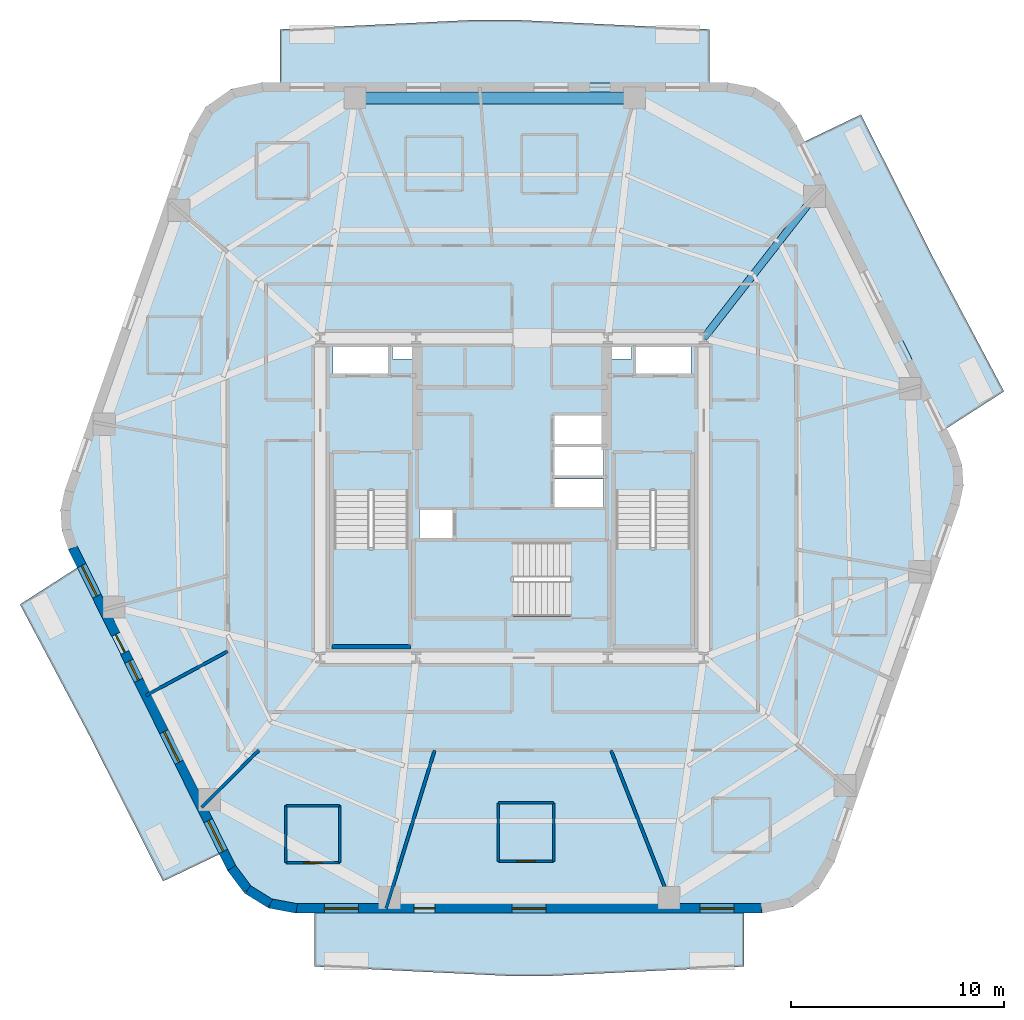
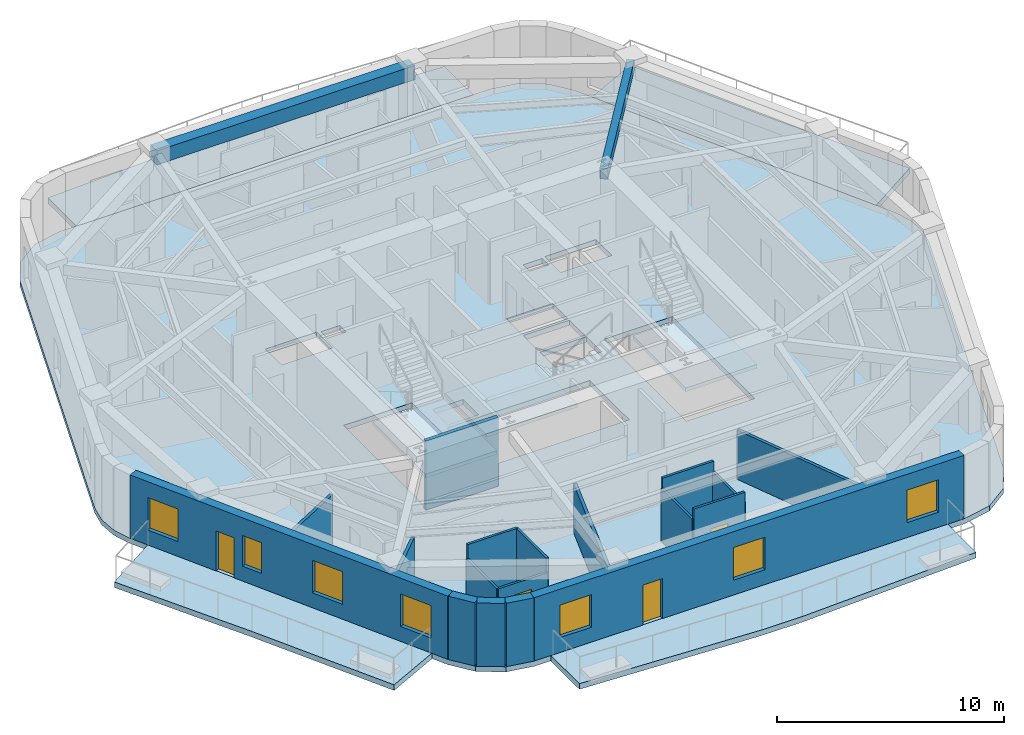
# One storey, part 2 of 10: 18 walls, 8 slabs, 7 windows, 4 doors, 2 beams, 11 openings, 3 elements without a shape of their own.
"""IFC4 building model written with IfcOpenShell, lengths in metres."""

from ifc_helpers import new_model, si_unit, direction, frame, frame_2d, origin, origin_2d, place, context, subcontext, project, spatial, polyline, rectangle, outline, extrude, material, layer, layer_set, material_profile, profile_set, type_object, element, fill, aggregate, save


model = new_model("IFC4")

# Units and contexts
model_context = context("Model", 3, precision=1e-05, world=origin(), true_north=direction((0.0, 1.0)))
body_context = subcontext(model_context, "Body", "Model", "MODEL_VIEW")
ifc_project = project(units=[si_unit("LENGTHUNIT", "METRE"), si_unit("AREAUNIT", "SQUARE_METRE"), si_unit("VOLUMEUNIT", "CUBIC_METRE"), si_unit("PLANEANGLEUNIT", "RADIAN"), si_unit("MASSUNIT", "GRAM", prefix="KILO")], contexts=[model_context])

# Site, building, storey
site_placement = place(None, origin())
site = spatial("IfcSite", under=ifc_project, at=site_placement, CompositionType="ELEMENT")
building_placement = place(site_placement, origin())
building = spatial("IfcBuilding", under=site, at=building_placement, Name="Kilnhurst Terrace Hotel", CompositionType="ELEMENT")
storey_placement = place(building_placement, frame((0.0, 0.0, 151.699951171875)))
storey = spatial("IfcBuildingStorey", under=building, at=storey_placement, Name="L37", CompositionType="ELEMENT", Elevation=151.699951171875)

# Beams
ifc_material_1 = material(Name="Concrete C50/60", Category="concrete")
ifc_material_profile_1 = material_profile(ifc_material_1, rectangle(XDim=0.35009765625, YDim=0.550048828125, at=origin_2d()), Name="RC350X550")
ifc_profile_set_1 = profile_set([ifc_material_profile_1], Name="Concrete C50/60")
beam_type_1 = type_object("IfcBeamType", Name="BM-RAD-350X550", PredefinedType="BEAM", material=ifc_profile_set_1)
beam_1_placement = place(storey_placement, frame((9.0, 7.5, 3.125), z_axis=(0.615370616457, 0.78823791104, 0.0), x_axis=(-0.78823791104, 0.615370616457, 0.0)))
element("IfcBeam", 1, at=beam_1_placement, inside=storey, type_object=beam_type_1, Name="L37 Radial Floor Beam 6", PredefinedType="BEAM", context=body_context, shape_type="SweptSolid", body=[
    extrude(rectangle(XDim=0.35009765625, YDim=0.550048828125, at=origin_2d()), origin(), (0.0, 0.0, 1.0), 8.456787109375),
])
ifc_material_profile_2 = material_profile(ifc_material_1, rectangle(XDim=0.550048828125, YDim=0.75, at=origin_2d()), Name="RC550X750")
ifc_profile_set_2 = profile_set([ifc_material_profile_2], Name="Concrete C50/60")
beam_type_2 = type_object("IfcBeamType", Name="BM-SPN-550X750", PredefinedType="SPANDREL", material=ifc_profile_set_2)
beam_2_placement = place(storey_placement, frame((5.7548828125, 18.780029296875, 3.025146484375), z_axis=(-1.0, 0.0, 0.0), x_axis=(0.0, -1.0, 0.0)))
element("IfcBeam", 2, at=beam_2_placement, inside=storey, type_object=beam_type_2, Name="L37 Perimeter Spandrel Beam 7", PredefinedType="SPANDREL", context=body_context, shape_type="SweptSolid", body=[
    extrude(rectangle(XDim=0.550048828125, YDim=0.75, at=origin_2d()), origin(), (0.0, 0.0, 1.0), 13.123779296875),
])

# Slabs
ifc_layer_1 = layer(ifc_material_1, 0.300048828125, Name="Concrete C50/60")
ifc_layer_set_1 = layer_set([ifc_layer_1], Name="Concrete C50/60")
slab_type_1 = type_object("IfcSlabType", Name="SLB-BAL-300", PredefinedType="FLOOR", material=ifc_layer_set_1)
slab_1_placement = place(storey_placement, frame((0.0, 0.0, -0.300048828125)))
element("IfcSlab", 3, at=slab_1_placement, inside=storey, type_object=slab_type_1, Name="L37 Cantilevered Planted Terrace Slab BAL-L1A", PredefinedType="FLOOR", context=body_context, shape_type="SweptSolid", body=[
    extrude(outline(polyline([(19.769287109375, 11.293212890625), (23.100830078125, 5.0), (20.393310546875, 3.25927734375), (13.718505859375, 16.72021484375), (16.384033203125, 18.0), (19.769287109375, 11.293212890625)])), origin(), (0.0, 0.0, 1.0), 0.300048828125),
])
slab_2_placement = place(storey_placement, frame((0.0, 0.0, -0.300048828125)))
element("IfcSlab", 4, at=slab_2_placement, inside=storey, type_object=slab_type_1, Name="L37 Cantilevered Planted Terrace Slab BAL-L1B", PredefinedType="FLOOR", context=body_context, shape_type="SweptSolid", body=[
    extrude(outline(polyline([(0.221923828125, 22.43994140625), (9.279296875, 22.0), (9.279296875, 19.47998046875), (-10.8935546875, 19.47998046875), (-10.8935546875, 22.0), (-1.83642578125, 22.43994140625), (0.221923828125, 22.43994140625)])), origin(), (0.0, 0.0, 1.0), 0.300048828125),
])
slab_3_placement = place(storey_placement, frame((0.0, 0.0, -0.300048828125)))
element("IfcSlab", 5, at=slab_3_placement, inside=storey, type_object=slab_type_1, Name="L37 Cantilevered Planted Terrace Slab BAL-L2A", PredefinedType="FLOOR", context=body_context, shape_type="SweptSolid", body=[
    extrude(outline(polyline([(-23.100830078125, -5.0), (-20.393310546875, -3.25927734375), (-13.718505859375, -16.72021484375), (-16.384033203125, -18.0), (-19.769287109375, -11.293212890625), (-23.100830078125, -5.0)])), origin(), (0.0, 0.0, 1.0), 0.300048828125),
])
slab_4_placement = place(storey_placement, frame((0.0, 0.0, -0.300048828125)))
element("IfcSlab", 6, at=slab_4_placement, inside=storey, type_object=slab_type_1, Name="L37 Cantilevered Planted Terrace Slab BAL-L2B", PredefinedType="FLOOR", context=body_context, shape_type="SweptSolid", body=[
    extrude(outline(polyline([(-0.221923828125, -22.43994140625), (-9.279296875, -22.0), (-9.279296875, -19.47998046875), (10.8935546875, -19.47998046875), (10.8935546875, -22.0), (1.83642578125, -22.43994140625), (-0.221923828125, -22.43994140625)])), origin(), (0.0, 0.0, 1.0), 0.300048828125),
])
ifc_layer_2 = layer(ifc_material_1, 0.280029296875, Name="Concrete C50/60")
ifc_layer_set_2 = layer_set([ifc_layer_2], Name="Concrete C50/60")
slab_type_2 = type_object("IfcSlabType", Name="SLB-FLR-280", PredefinedType="FLOOR", material=ifc_layer_set_2)
slab_5_placement = place(storey_placement, frame((0.0, 0.0, -0.280029296875)))
element("IfcSlab", 7, at=slab_5_placement, inside=storey, type_object=slab_type_2, Name="L37 Structural Floor Slab", PredefinedType="FLOOR", context=body_context, shape_type="SweptSolid", body=[
    extrude(outline(polyline([(-13.3544921875, -17.499267578125), (-12.5576171875, -18.5576171875), (-11.431640625, -19.256103515625), (-10.12939453125, -19.5), (11.74365234375, -19.5), (13.18310546875, -19.19970703125), (14.38232421875, -18.348876953125), (15.141357421875, -17.089599609375), (20.9990234375, -0.3583984375), (21.192138671875, 0.57568359375), (21.13330078125, 1.527587890625), (20.82666015625, 2.4306640625), (13.3544921875, 17.499267578125), (12.5576171875, 18.5576171875), (11.431640625, 19.256103515625), (10.12939453125, 19.5), (-11.74365234375, 19.5), (-13.18310546875, 19.19970703125), (-14.38232421875, 18.348876953125), (-15.141357421875, 17.089599609375), (-20.9990234375, 0.3583984375), (-21.192138671875, -0.57568359375), (-21.13330078125, -1.527587890625), (-20.82666015625, -2.4306640625), (-13.3544921875, -17.499267578125)]), holes=[polyline([(2.7548828125, -2.080078125), (2.7548828125, -5.550048828125), (-4.5, -5.550048828125), (-4.5, -2.080078125), (2.7548828125, -2.080078125)]), polyline([(-8.35009765625, 0.35498046875), (-4.8798828125, 0.35498046875), (-4.8798828125, -6.89990234375), (-8.35009765625, -6.89990234375), (-8.35009765625, 0.35498046875)]), polyline([(-2.800048828125, -1.89990234375), (-4.35009765625, -1.89990234375), (-4.35009765625, -0.550048828125), (-2.800048828125, -0.550048828125), (-2.800048828125, -1.89990234375)]), polyline([(1.949951171875, -0.429931640625), (1.949951171875, 0.89990234375), (4.300048828125, 0.89990234375), (4.300048828125, -0.429931640625), (1.949951171875, -0.429931640625)]), polyline([(-8.39990234375, 5.75), (-8.39990234375, 7.14990234375), (-5.800048828125, 7.14990234375), (-5.800048828125, 5.75), (-8.39990234375, 5.75)]), polyline([(-4.659912109375, 6.52001953125), (-5.6201171875, 6.52001953125), (-5.6201171875, 7.080078125), (-4.659912109375, 7.080078125), (-4.659912109375, 6.52001953125)]), polyline([(8.35009765625, 0.35498046875), (8.35009765625, -6.89990234375), (4.8798828125, -6.89990234375), (4.8798828125, 0.35498046875), (8.35009765625, 0.35498046875)]), polyline([(1.949951171875, 1.050048828125), (1.949951171875, 2.3798828125), (4.300048828125, 2.3798828125), (4.300048828125, 1.050048828125), (1.949951171875, 1.050048828125)]), polyline([(4.300048828125, 2.530029296875), (1.949951171875, 2.530029296875), (1.949951171875, 3.860107421875), (4.300048828125, 3.860107421875), (4.300048828125, 2.530029296875)]), polyline([(5.800048828125, 5.75), (5.800048828125, 7.14990234375), (8.39990234375, 7.14990234375), (8.39990234375, 5.75), (5.800048828125, 5.75)]), polyline([(4.659912109375, 6.52001953125), (4.659912109375, 7.080078125), (5.6201171875, 7.080078125), (5.6201171875, 6.52001953125), (4.659912109375, 6.52001953125)])]), origin(), (0.0, 0.0, 1.0), 0.280029296875),
])

# Stair, slab
stair_type = type_object("IfcStairType", Name="STR-CORE-1660", PredefinedType="HALF_TURN_STAIR", material=ifc_material_1)
stair_1_placement = place(storey_placement, origin())
stair_1 = element("IfcStair", 8, at=stair_1_placement, inside=storey, type_object=stair_type, Name="L37 ST-1", PredefinedType="HALF_TURN_STAIR")
ifc_layer_3 = layer(ifc_material_1, 0.199951171875, Name="Concrete C50/60")
ifc_layer_set_3 = layer_set([ifc_layer_3], Name="Concrete C50/60")
slab_type_3 = type_object("IfcSlabType", Name="SLB-ST-LND-200", PredefinedType="LANDING", material=ifc_layer_set_3)
slab_6_placement = place(storey_placement, frame((0.0, 0.0, 1.650146484375)))
slab_6 = element("IfcSlab", 9, at=slab_6_placement, type_object=slab_type_3, Name="ST-1 landing 1", PredefinedType="LANDING", context=body_context, shape_type="SweptSolid", body=[
    extrude(outline(polyline([(-8.429931640625, -2.330078125), (-4.800048828125, -2.330078125), (-4.800048828125, -6.97998046875), (-8.429931640625, -6.97998046875), (-8.429931640625, -2.330078125)])), origin(), (0.0, 0.0, 1.0), 0.199951171875),
])
aggregate(stair_1, [slab_6])

stair_2_placement = place(storey_placement, origin())
stair_2 = element("IfcStair", 10, at=stair_2_placement, inside=storey, type_object=stair_type, Name="L37 ST-2", PredefinedType="HALF_TURN_STAIR")
slab_7_placement = place(storey_placement, frame((0.0, 0.0, 1.650146484375)))
slab_7 = element("IfcSlab", 11, at=slab_7_placement, type_object=slab_type_3, Name="ST-2 landing 1", PredefinedType="LANDING", context=body_context, shape_type="SweptSolid", body=[
    extrude(outline(polyline([(4.800048828125, -2.330078125), (8.429931640625, -2.330078125), (8.429931640625, -6.97998046875), (4.800048828125, -6.97998046875), (4.800048828125, -2.330078125)])), origin(), (0.0, 0.0, 1.0), 0.199951171875),
])
aggregate(stair_2, [slab_7])

stair_3_placement = place(storey_placement, origin())
stair_3 = element("IfcStair", 12, at=stair_3_placement, inside=storey, type_object=stair_type, Name="L37 ST-3", PredefinedType="HALF_TURN_STAIR")
slab_8_placement = place(storey_placement, frame((0.0, 0.0, 1.650146484375)))
slab_8 = element("IfcSlab", 13, at=slab_8_placement, type_object=slab_type_3, Name="ST-3 landing 1", PredefinedType="LANDING", context=body_context, shape_type="SweptSolid", body=[
    extrude(outline(polyline([(0.070068359375, -2.0), (0.070068359375, -5.6298828125), (-4.580078125, -5.6298828125), (-4.580078125, -2.0), (0.070068359375, -2.0)])), origin(), (0.0, 0.0, 1.0), 0.199951171875),
])
aggregate(stair_3, [slab_8])

# Walls
ifc_material_2 = material(Name="Precast concrete C40/50", Category="concrete")
ifc_layer_4 = layer(ifc_material_2, 0.449951171875, Name="Precast concrete C40/50")
ifc_layer_set_4 = layer_set([ifc_layer_4], Name="Precast concrete C40/50")
wall_type_1 = type_object("IfcWallType", Name="WL-BRK-450", PredefinedType="SOLIDWALL", material=ifc_layer_set_4)
wall_1_placement = place(storey_placement, frame((-13.162353515625, -17.380615234375, 0.0), z_axis=(0.0, 0.0, 1.0), x_axis=(0.601515770517, -0.798860925205, 0.0)))
element("IfcWall", 14, at=wall_1_placement, inside=storey, type_object=wall_type_1, Name="L37 Rounded Corner Brick Wall C1.1", PredefinedType="SOLIDWALL", context=body_context, shape_type="SweptSolid", body=[
    extrude(rectangle(XDim=1.261962890625, YDim=0.449951171875, at=frame_2d((0.630859375, 0.0))), origin(), (0.0, 0.0, 1.0), 3.400146484375),
])
wall_2_placement = place(storey_placement, frame((-12.4033203125, -18.388671875, 0.0), z_axis=(0.0, 0.0, 1.0), x_axis=(0.849795170926, -0.527113049991, 0.0)))
element("IfcWall", 15, at=wall_2_placement, inside=storey, type_object=wall_type_1, Name="L37 Rounded Corner Brick Wall C1.2", PredefinedType="SOLIDWALL", context=body_context, shape_type="SweptSolid", body=[
    extrude(rectangle(XDim=1.24072265625, YDim=0.449951171875, at=frame_2d((0.620361328125, 0.0))), origin(), (0.0, 0.0, 1.0), 3.400146484375),
])
wall_3_placement = place(storey_placement, frame((-11.348876953125, -19.042724609375, 0.0), z_axis=(0.0, 0.0, 1.0), x_axis=(0.982931267051, -0.183973161772, 0.0)))
element("IfcWall", 16, at=wall_3_placement, inside=storey, type_object=wall_type_1, Name="L37 Rounded Corner Brick Wall C1.3", PredefinedType="SOLIDWALL", context=body_context, shape_type="SweptSolid", body=[
    extrude(rectangle(XDim=1.261962890625, YDim=0.449951171875, at=frame_2d((0.630859375, 0.0))), origin(), (0.0, 0.0, 1.0), 3.400146484375),
])

# Wall, openings, door, windows
wall_4_placement = place(storey_placement, frame((-10.1083984375, -19.27490234375, 0.0), z_axis=(0.0, 0.0, 1.0), x_axis=(1.0, 0.0, 0.0)))
wall_4 = element("IfcWall", 17, at=wall_4_placement, inside=storey, type_object=wall_type_1, Name="L37 Exterior Brick Facade Wall F1", PredefinedType="SOLIDWALL", context=body_context, shape_type="SweptSolid", body=[
    extrude(rectangle(XDim=21.828857421875, YDim=0.449951171875, at=frame_2d((10.91455078125, 0.0))), origin(), (0.0, 0.0, 1.0), 3.400146484375),
])
opening_1_placement = place(wall_4_placement, frame((5.5029296875, 0.0, 0.0)))
opening_1 = element("IfcOpeningElement", 18, at=opening_1_placement, cuts=wall_4, Name="Opening BD-1000", PredefinedType="OPENING", context=body_context, shape_type="SweptSolid", body=[
    extrude(rectangle(XDim=1.0, YDim=2.14990234375, at=frame_2d((0.5, 1.074951171875))), frame((0.0, 0.23486328125, 0.0), z_axis=(0.0, -1.0, 0.0), x_axis=(1.0, 0.0, 0.0)), (0.0, 0.0, 1.0), 0.469970703125),
])
opening_2_placement = place(wall_4_placement, frame((1.297119140625, 0.0, 0.800048828125)))
opening_2 = element("IfcOpeningElement", 19, at=opening_2_placement, cuts=wall_4, Name="Opening W-05", PredefinedType="OPENING", context=body_context, shape_type="SweptSolid", body=[
    extrude(rectangle(XDim=1.60009765625, YDim=1.75, at=frame_2d((0.800048828125, 0.875))), frame((0.0, 0.23486328125, 0.0), z_axis=(0.0, -1.0, 0.0), x_axis=(1.0, 0.0, 0.0)), (0.0, 0.0, 1.0), 0.469970703125),
])
opening_3_placement = place(wall_4_placement, frame((10.114990234375, 0.0, 0.800048828125)))
opening_3 = element("IfcOpeningElement", 20, at=opening_3_placement, cuts=wall_4, Name="Opening W-05", PredefinedType="OPENING", context=body_context, shape_type="SweptSolid", body=[
    extrude(rectangle(XDim=1.60009765625, YDim=1.75, at=frame_2d((0.800048828125, 0.875))), frame((0.0, 0.23486328125, 0.0), z_axis=(0.0, -1.0, 0.0), x_axis=(1.0, 0.0, 0.0)), (0.0, 0.0, 1.0), 0.469970703125),
])
opening_4_placement = place(wall_4_placement, frame((18.93310546875, 0.0, 0.800048828125)))
opening_4 = element("IfcOpeningElement", 21, at=opening_4_placement, cuts=wall_4, Name="Opening W-05", PredefinedType="OPENING", context=body_context, shape_type="SweptSolid", body=[
    extrude(rectangle(XDim=1.60009765625, YDim=1.75, at=frame_2d((0.800048828125, 0.875))), frame((0.0, 0.23486328125, 0.0), z_axis=(0.0, -1.0, 0.0), x_axis=(1.0, 0.0, 0.0)), (0.0, 0.0, 1.0), 0.469970703125),
])
ifc_material_3 = material(Name="Thermally Broken Bronze Aluminium Alloy 6063-T6 and Laminated Glass", Category="aluminium")
door_type_1 = type_object("IfcDoorType", Name="DR-EXT-BAL-1000", OperationType="NOTDEFINED", PredefinedType="DOOR", material=ifc_material_3)
door_1_placement = place(opening_1_placement, origin())
door_1 = element("IfcDoor", 22, at=door_1_placement, inside=storey, type_object=door_type_1, Name="L37 Planted Balcony Door BAL-L2B", OperationType="SINGLE_SWING_LEFT", OverallHeight=2.14990234375, OverallWidth=1.0, PredefinedType="DOOR", context=body_context, shape_type="SweptSolid", body=[
    extrude(rectangle(XDim=1.0, YDim=2.14990234375, at=frame_2d((0.5, 1.074951171875))), frame((0.0, 0.02490234375, 0.0), z_axis=(0.0, -1.0, 0.0), x_axis=(1.0, 0.0, 0.0)), (0.0, 0.0, 1.0), 0.050048828125),
])
fill(opening_1, door_1)
ifc_material_4 = material(Name="Thermally Broken Bronze Aluminium Alloy 6063-T6 and Low-E Glass", Category="aluminium")
window_type_1 = type_object("IfcWindowType", Name="WIN-1600X1750", PartitioningType="SINGLE_PANEL", PredefinedType="WINDOW", material=ifc_material_4)
window_1_placement = place(opening_2_placement, origin())
window_1 = element("IfcWindow", 23, at=window_1_placement, inside=storey, type_object=window_type_1, Name="L37 Deep-Set Masonry Window F1.1", OverallHeight=1.75, OverallWidth=1.60009765625, PartitioningType="SINGLE_PANEL", PredefinedType="WINDOW", context=body_context, shape_type="SweptSolid", body=[
    extrude(rectangle(XDim=1.60009765625, YDim=1.75, at=frame_2d((0.800048828125, 0.875))), frame((0.0, 0.030029296875, 0.0), z_axis=(0.0, -1.0, 0.0), x_axis=(1.0, 0.0, 0.0)), (0.0, 0.0, 1.0), 0.06005859375),
])
fill(opening_2, window_1)
window_2_placement = place(opening_3_placement, origin())
window_2 = element("IfcWindow", 24, at=window_2_placement, inside=storey, type_object=window_type_1, Name="L37 Deep-Set Masonry Window F1.2", OverallHeight=1.75, OverallWidth=1.60009765625, PartitioningType="SINGLE_PANEL", PredefinedType="WINDOW", context=body_context, shape_type="SweptSolid", body=[
    extrude(rectangle(XDim=1.60009765625, YDim=1.75, at=frame_2d((0.800048828125, 0.875))), frame((0.0, 0.030029296875, 0.0), z_axis=(0.0, -1.0, 0.0), x_axis=(1.0, 0.0, 0.0)), (0.0, 0.0, 1.0), 0.06005859375),
])
fill(opening_3, window_2)
window_3_placement = place(opening_4_placement, origin())
window_3 = element("IfcWindow", 25, at=window_3_placement, inside=storey, type_object=window_type_1, Name="L37 Deep-Set Masonry Window F1.3", OverallHeight=1.75, OverallWidth=1.60009765625, PartitioningType="SINGLE_PANEL", PredefinedType="WINDOW", context=body_context, shape_type="SweptSolid", body=[
    extrude(rectangle(XDim=1.60009765625, YDim=1.75, at=frame_2d((0.800048828125, 0.875))), frame((0.0, 0.030029296875, 0.0), z_axis=(0.0, -1.0, 0.0), x_axis=(1.0, 0.0, 0.0)), (0.0, 0.0, 1.0), 0.06005859375),
])
fill(opening_4, window_3)

wall_5_placement = place(storey_placement, frame((-20.618408203125, -2.343994140625, 0.0), z_axis=(0.0, 0.0, 1.0), x_axis=(0.444243691097, -0.895905990002, 0.0)))
wall_5 = element("IfcWall", 26, at=wall_5_placement, inside=storey, type_object=wall_type_1, Name="L37 Exterior Brick Facade Wall F6", PredefinedType="SOLIDWALL", context=body_context, shape_type="SweptSolid", body=[
    extrude(rectangle(XDim=16.78369140625, YDim=0.449951171875, at=frame_2d((8.391845703125, 0.0))), origin(), (0.0, 0.0, 1.0), 3.400146484375),
])
opening_5_placement = place(wall_5_placement, frame((4.534912109375, 0.0, 0.0)))
opening_5 = element("IfcOpeningElement", 27, at=opening_5_placement, cuts=wall_5, Name="Opening BD-950", PredefinedType="OPENING", context=body_context, shape_type="SweptSolid", body=[
    extrude(rectangle(XDim=0.949951171875, YDim=2.14990234375, at=frame_2d((0.47509765625, 1.074951171875))), frame((0.0, 0.23486328125, 0.0), z_axis=(0.0, -1.0, 0.0), x_axis=(1.0, 0.0, 0.0)), (0.0, 0.0, 1.0), 0.469970703125),
])
opening_6_placement = place(wall_5_placement, frame((0.930908203125, 0.0, 0.800048828125)))
opening_6 = element("IfcOpeningElement", 28, at=opening_6_placement, cuts=wall_5, Name="Opening W-05", PredefinedType="OPENING", context=body_context, shape_type="SweptSolid", body=[
    extrude(rectangle(XDim=1.60009765625, YDim=1.75, at=frame_2d((0.800048828125, 0.875))), frame((0.0, 0.23486328125, 0.0), z_axis=(0.0, -1.0, 0.0), x_axis=(1.0, 0.0, 0.0)), (0.0, 0.0, 1.0), 0.469970703125),
])
opening_7_placement = place(wall_5_placement, frame((5.94189453125, 0.0, 0.800048828125)))
opening_7 = element("IfcOpeningElement", 29, at=opening_7_placement, cuts=wall_5, Name="Opening W-08", PredefinedType="OPENING", context=body_context, shape_type="SweptSolid", body=[
    extrude(rectangle(XDim=1.0, YDim=1.64990234375, at=frame_2d((0.5, 0.824951171875))), frame((0.0, 0.23486328125, 0.0), z_axis=(0.0, -1.0, 0.0), x_axis=(1.0, 0.0, 0.0)), (0.0, 0.0, 1.0), 0.469970703125),
])
opening_8_placement = place(wall_5_placement, frame((9.633056640625, 0.0, 0.800048828125)))
opening_8 = element("IfcOpeningElement", 30, at=opening_8_placement, cuts=wall_5, Name="Opening W-05", PredefinedType="OPENING", context=body_context, shape_type="SweptSolid", body=[
    extrude(rectangle(XDim=1.60009765625, YDim=1.75, at=frame_2d((0.800048828125, 0.875))), frame((0.0, 0.23486328125, 0.0), z_axis=(0.0, -1.0, 0.0), x_axis=(1.0, 0.0, 0.0)), (0.0, 0.0, 1.0), 0.469970703125),
])
opening_9_placement = place(wall_5_placement, frame((14.302978515625, 0.0, 0.800048828125)))
opening_9 = element("IfcOpeningElement", 31, at=opening_9_placement, cuts=wall_5, Name="Opening W-05", PredefinedType="OPENING", context=body_context, shape_type="SweptSolid", body=[
    extrude(rectangle(XDim=1.60009765625, YDim=1.75, at=frame_2d((0.800048828125, 0.875))), frame((0.0, 0.23486328125, 0.0), z_axis=(0.0, -1.0, 0.0), x_axis=(1.0, 0.0, 0.0)), (0.0, 0.0, 1.0), 0.469970703125),
])
door_type_2 = type_object("IfcDoorType", Name="DR-EXT-BAL-950", OperationType="NOTDEFINED", PredefinedType="DOOR", material=ifc_material_3)
door_2_placement = place(opening_5_placement, origin())
door_2 = element("IfcDoor", 32, at=door_2_placement, inside=storey, type_object=door_type_2, Name="L37 Planted Balcony Door BAL-L2A", OperationType="SINGLE_SWING_RIGHT", OverallHeight=2.14990234375, OverallWidth=0.949951171875, PredefinedType="DOOR", context=body_context, shape_type="SweptSolid", body=[
    extrude(rectangle(XDim=0.949951171875, YDim=2.14990234375, at=frame_2d((0.47509765625, 1.074951171875))), frame((0.0, 0.02490234375, 0.0), z_axis=(0.0, -1.0, 0.0), x_axis=(1.0, 0.0, 0.0)), (0.0, 0.0, 1.0), 0.050048828125),
])
fill(opening_5, door_2)
window_type_2 = type_object("IfcWindowType", Name="WIN-1000X1650", PartitioningType="SINGLE_PANEL", PredefinedType="WINDOW", material=ifc_material_4)
window_4_placement = place(opening_7_placement, origin())
window_4 = element("IfcWindow", 33, at=window_4_placement, inside=storey, type_object=window_type_2, Name="L37 Deep-Set Masonry Window F6.2", OverallHeight=1.64990234375, OverallWidth=1.0, PartitioningType="SINGLE_PANEL", PredefinedType="WINDOW", context=body_context, shape_type="SweptSolid", body=[
    extrude(rectangle(XDim=1.0, YDim=1.64990234375, at=frame_2d((0.5, 0.824951171875))), frame((0.0, 0.030029296875, 0.0), z_axis=(0.0, -1.0, 0.0), x_axis=(1.0, 0.0, 0.0)), (0.0, 0.0, 1.0), 0.06005859375),
])
fill(opening_7, window_4)
window_5_placement = place(opening_6_placement, origin())
window_5 = element("IfcWindow", 34, at=window_5_placement, inside=storey, type_object=window_type_1, Name="L37 Deep-Set Masonry Window F6.1", OverallHeight=1.75, OverallWidth=1.60009765625, PartitioningType="SINGLE_PANEL", PredefinedType="WINDOW", context=body_context, shape_type="SweptSolid", body=[
    extrude(rectangle(XDim=1.60009765625, YDim=1.75, at=frame_2d((0.800048828125, 0.875))), frame((0.0, 0.030029296875, 0.0), z_axis=(0.0, -1.0, 0.0), x_axis=(1.0, 0.0, 0.0)), (0.0, 0.0, 1.0), 0.06005859375),
])
fill(opening_6, window_5)
window_6_placement = place(opening_8_placement, origin())
window_6 = element("IfcWindow", 35, at=window_6_placement, inside=storey, type_object=window_type_1, Name="L37 Deep-Set Masonry Window F6.3", OverallHeight=1.75, OverallWidth=1.60009765625, PartitioningType="SINGLE_PANEL", PredefinedType="WINDOW", context=body_context, shape_type="SweptSolid", body=[
    extrude(rectangle(XDim=1.60009765625, YDim=1.75, at=frame_2d((0.800048828125, 0.875))), frame((0.0, 0.030029296875, 0.0), z_axis=(0.0, -1.0, 0.0), x_axis=(1.0, 0.0, 0.0)), (0.0, 0.0, 1.0), 0.06005859375),
])
fill(opening_8, window_6)
window_7_placement = place(opening_9_placement, origin())
window_7 = element("IfcWindow", 36, at=window_7_placement, inside=storey, type_object=window_type_1, Name="L37 Deep-Set Masonry Window F6.4", OverallHeight=1.75, OverallWidth=1.60009765625, PartitioningType="SINGLE_PANEL", PredefinedType="WINDOW", context=body_context, shape_type="SweptSolid", body=[
    extrude(rectangle(XDim=1.60009765625, YDim=1.75, at=frame_2d((0.800048828125, 0.875))), frame((0.0, 0.030029296875, 0.0), z_axis=(0.0, -1.0, 0.0), x_axis=(1.0, 0.0, 0.0)), (0.0, 0.0, 1.0), 0.06005859375),
])
fill(opening_9, window_7)

# Walls
ifc_material_5 = material(Name="STC-58 Acoustic Twin-Frame Guestroom Demising Partition")
ifc_layer_5 = layer(ifc_material_5, 0.14990234375, Name="STC-58 Acoustic Twin-Frame Guestroom Demising Partition")
ifc_layer_set_5 = layer_set([ifc_layer_5], Name="STC-58 Acoustic Twin-Frame Guestroom Demising Partition")
wall_type_2 = type_object("IfcWallType", Name="WL-DEM-150", PredefinedType="PARTITIONING", material=ifc_layer_set_5)
wall_6_placement = place(storey_placement, frame((-13.35009765625, -7.2041015625, 0.0), z_axis=(0.0, 0.0, 1.0), x_axis=(-0.880033329067, -0.474911928394, 0.0)))
element("IfcWall", 37, at=wall_6_placement, inside=storey, type_object=wall_type_2, Name="L37 Interior Wall WL-L37-DEM-MID07-09-1", PredefinedType="PARTITIONING", context=body_context, shape_type="SweptSolid", body=[
    extrude(rectangle(XDim=4.355224609375, YDim=0.14990234375, at=frame_2d((2.177734375, 0.0))), origin(), (0.0, 0.0, 1.0), 2.64013671875),
])
wall_7_placement = place(storey_placement, frame((-11.8818359375, -11.85009765625, 0.0), z_axis=(0.0, 0.0, 1.0), x_axis=(-0.708037373639, -0.706174962407, 0.0)))
element("IfcWall", 38, at=wall_7_placement, inside=storey, type_object=wall_type_2, Name="L37 Interior Wall WL-L37-DEM-COL08-10-1", PredefinedType="PARTITIONING", context=body_context, shape_type="SweptSolid", body=[
    extrude(rectangle(XDim=3.801513671875, YDim=0.14990234375, at=frame_2d((1.90087890625, 0.0))), origin(), (0.0, 0.0, 1.0), 2.64013671875),
])
wall_8_placement = place(storey_placement, frame((-3.63134765625, -11.85009765625, 0.0), z_axis=(0.0, 0.0, 1.0), x_axis=(-0.293007573338, -0.956110120209, 0.0)))
element("IfcWall", 39, at=wall_8_placement, inside=storey, type_object=wall_type_2, Name="L37 Interior Wall WL-L37-DEM-COL09-11-1", PredefinedType="PARTITIONING", context=body_context, shape_type="SweptSolid", body=[
    extrude(rectangle(XDim=7.765625, YDim=0.14990234375, at=frame_2d((3.8828125, 0.0))), origin(), (0.0, 0.0, 1.0), 2.64013671875),
])
wall_9_placement = place(storey_placement, frame((4.64990234375, -11.85009765625, 0.0), z_axis=(0.0, 0.0, 1.0), x_axis=(0.365265947993, -0.930903210456, 0.0)))
element("IfcWall", 40, at=wall_9_placement, inside=storey, type_object=wall_type_2, Name="L37 Interior Wall WL-L37-DEM-COL10-12-1", PredefinedType="PARTITIONING", context=body_context, shape_type="SweptSolid", body=[
    extrude(rectangle(XDim=7.975830078125, YDim=0.14990234375, at=frame_2d((3.98779296875, 0.0))), origin(), (0.0, 0.0, 1.0), 2.64013671875),
])

# Wall, opening, door
ifc_material_6 = material(Name="120 mm Moisture-Resistant Tile-Backed Bathroom Partition")
ifc_layer_6 = layer(ifc_material_6, 0.1201171875, Name="120 mm Moisture-Resistant Tile-Backed Bathroom Partition")
ifc_layer_set_6 = layer_set([ifc_layer_6], Name="120 mm Moisture-Resistant Tile-Backed Bathroom Partition")
wall_type_3 = type_object("IfcWallType", Name="WL-PART-120", PredefinedType="PARTITIONING", material=ifc_layer_set_6)
wall_10_placement = place(storey_placement, frame((-10.617919921875, -17.1259765625, 0.0), z_axis=(0.0, 0.0, 1.0), x_axis=(1.0, 0.0, 0.0)))
wall_10 = element("IfcWall", 41, at=wall_10_placement, inside=storey, type_object=wall_type_3, Name="L37 Interior Wall WL-L37-BTH-10-1", PredefinedType="PARTITIONING", context=body_context, shape_type="SweptSolid", body=[
    extrude(rectangle(XDim=2.52001953125, YDim=0.1201171875, at=frame_2d((1.260009765625, 0.0))), origin(), (0.0, 0.0, 1.0), 2.64013671875),
])
opening_10_placement = place(wall_10_placement, frame((0.8349609375, 0.0, 0.0)))
opening_10 = element("IfcOpeningElement", 42, at=opening_10_placement, cuts=wall_10, Name="Opening D-08A", PredefinedType="OPENING", context=body_context, shape_type="SweptSolid", body=[
    extrude(rectangle(XDim=0.85009765625, YDim=2.030029296875, at=frame_2d((0.425048828125, 1.01513671875))), frame((0.0, 0.070068359375, 0.0), z_axis=(0.0, -1.0, 0.0), x_axis=(1.0, 0.0, 0.0)), (0.0, 0.0, 1.0), 0.14013671875),
])
ifc_material_7 = material(Name="Moisture-Resistant Lacquered En-suite Bathroom Door")
door_type_3 = type_object("IfcDoorType", Name="DR-INT-850", OperationType="NOTDEFINED", PredefinedType="DOOR", material=ifc_material_7)
door_3_placement = place(opening_10_placement, origin())
door_3 = element("IfcDoor", 43, at=door_3_placement, inside=storey, type_object=door_type_3, Name="L37 En-suite Bathroom Door 10", OperationType="SINGLE_SWING_LEFT", OverallHeight=2.030029296875, OverallWidth=0.85009765625, PredefinedType="DOOR", context=body_context, shape_type="SweptSolid", body=[
    extrude(rectangle(XDim=0.85009765625, YDim=2.030029296875, at=frame_2d((0.425048828125, 1.01513671875))), frame((0.0, 0.02490234375, 0.0), z_axis=(0.0, -1.0, 0.0), x_axis=(1.0, 0.0, 0.0)), (0.0, 0.0, 1.0), 0.050048828125),
])
fill(opening_10, door_3)

# Walls
wall_11_placement = place(storey_placement, frame((-8.097900390625, -17.1259765625, 0.0), z_axis=(0.0, 0.0, 1.0), x_axis=(0.0, 1.0, 0.0)))
element("IfcWall", 44, at=wall_11_placement, inside=storey, type_object=wall_type_3, Name="L37 Interior Wall WL-L37-BTH-10-2", PredefinedType="PARTITIONING", context=body_context, shape_type="SweptSolid", body=[
    extrude(rectangle(XDim=2.679931640625, YDim=0.1201171875, at=frame_2d((1.33984375, 0.0))), origin(), (0.0, 0.0, 1.0), 3.400146484375),
])
wall_12_placement = place(storey_placement, frame((-8.097900390625, -14.446044921875, 0.0), z_axis=(0.0, 0.0, 1.0), x_axis=(-1.0, 0.0, 0.0)))
element("IfcWall", 45, at=wall_12_placement, inside=storey, type_object=wall_type_3, Name="L37 Interior Wall WL-L37-BTH-10-3", PredefinedType="PARTITIONING", context=body_context, shape_type="SweptSolid", body=[
    extrude(rectangle(XDim=2.52001953125, YDim=0.1201171875, at=frame_2d((1.260009765625, 0.0))), origin(), (0.0, 0.0, 1.0), 3.400146484375),
])
wall_13_placement = place(storey_placement, frame((-10.617919921875, -14.446044921875, 0.0), z_axis=(0.0, 0.0, 1.0), x_axis=(0.0, -1.0, 0.0)))
element("IfcWall", 46, at=wall_13_placement, inside=storey, type_object=wall_type_3, Name="L37 Interior Wall WL-L37-BTH-10-4", PredefinedType="PARTITIONING", context=body_context, shape_type="SweptSolid", body=[
    extrude(rectangle(XDim=2.679931640625, YDim=0.1201171875, at=frame_2d((1.33984375, 0.0))), origin(), (0.0, 0.0, 1.0), 2.64013671875),
])

# Wall, opening, door
wall_14_placement = place(storey_placement, frame((-0.64111328125, -17.06298828125, 0.0), z_axis=(0.0, 0.0, 1.0), x_axis=(1.0, 0.0, 0.0)))
wall_14 = element("IfcWall", 47, at=wall_14_placement, inside=storey, type_object=wall_type_3, Name="L37 Interior Wall WL-L37-BTH-11-1", PredefinedType="PARTITIONING", context=body_context, shape_type="SweptSolid", body=[
    extrude(rectangle(XDim=2.60009765625, YDim=0.1201171875, at=frame_2d((1.300048828125, 0.0))), origin(), (0.0, 0.0, 1.0), 3.400146484375),
])
opening_11_placement = place(wall_14_placement, frame((0.875, 0.0, 0.0)))
opening_11 = element("IfcOpeningElement", 48, at=opening_11_placement, cuts=wall_14, Name="Opening D-08A", PredefinedType="OPENING", context=body_context, shape_type="SweptSolid", body=[
    extrude(rectangle(XDim=0.85009765625, YDim=2.030029296875, at=frame_2d((0.425048828125, 1.01513671875))), frame((0.0, 0.070068359375, 0.0), z_axis=(0.0, -1.0, 0.0), x_axis=(1.0, 0.0, 0.0)), (0.0, 0.0, 1.0), 0.14013671875),
])
door_4_placement = place(opening_11_placement, origin())
door_4 = element("IfcDoor", 49, at=door_4_placement, inside=storey, type_object=door_type_3, Name="L37 En-suite Bathroom Door 11", OperationType="SINGLE_SWING_RIGHT", OverallHeight=2.030029296875, OverallWidth=0.85009765625, PredefinedType="DOOR", context=body_context, shape_type="SweptSolid", body=[
    extrude(rectangle(XDim=0.85009765625, YDim=2.030029296875, at=frame_2d((0.425048828125, 1.01513671875))), frame((0.0, 0.02490234375, 0.0), z_axis=(0.0, -1.0, 0.0), x_axis=(1.0, 0.0, 0.0)), (0.0, 0.0, 1.0), 0.050048828125),
])
fill(opening_11, door_4)

# Walls
wall_15_placement = place(storey_placement, frame((1.958984375, -17.06298828125, 0.0), z_axis=(0.0, 0.0, 1.0), x_axis=(0.0, 1.0, 0.0)))
element("IfcWall", 50, at=wall_15_placement, inside=storey, type_object=wall_type_3, Name="L37 Interior Wall WL-L37-BTH-11-2", PredefinedType="PARTITIONING", context=body_context, shape_type="SweptSolid", body=[
    extrude(rectangle(XDim=2.75, YDim=0.1201171875, at=frame_2d((1.375, 0.0))), origin(), (0.0, 0.0, 1.0), 2.84033203125),
])
wall_16_placement = place(storey_placement, frame((1.958984375, -14.31298828125, 0.0), z_axis=(0.0, 0.0, 1.0), x_axis=(-1.0, 0.0, 0.0)))
element("IfcWall", 51, at=wall_16_placement, inside=storey, type_object=wall_type_3, Name="L37 Interior Wall WL-L37-BTH-11-3", PredefinedType="PARTITIONING", context=body_context, shape_type="SweptSolid", body=[
    extrude(rectangle(XDim=2.60009765625, YDim=0.1201171875, at=frame_2d((1.300048828125, 0.0))), origin(), (0.0, 0.0, 1.0), 3.400146484375),
])
wall_17_placement = place(storey_placement, frame((-0.64111328125, -14.31298828125, 0.0), z_axis=(0.0, 0.0, 1.0), x_axis=(0.0, -1.0, 0.0)))
element("IfcWall", 52, at=wall_17_placement, inside=storey, type_object=wall_type_3, Name="L37 Interior Wall WL-L37-BTH-11-4", PredefinedType="PARTITIONING", context=body_context, shape_type="SweptSolid", body=[
    extrude(rectangle(XDim=2.75, YDim=0.1201171875, at=frame_2d((1.375, 0.0))), origin(), (0.0, 0.0, 1.0), 2.84033203125),
])
ifc_layer_7 = layer(ifc_material_1, 0.199951171875, Name="Concrete C50/60")
ifc_layer_set_7 = layer_set([ifc_layer_7], Name="Concrete C50/60")
wall_type_4 = type_object("IfcWallType", Name="WL-STAIR-RC-200", PredefinedType="SHEAR", material=ifc_layer_set_7)
wall_18_placement = place(storey_placement, frame((-8.4580078125, -6.985107421875, 0.0), z_axis=(0.0, 0.0, 1.0), x_axis=(1.0, 0.0, 0.0)))
element("IfcWall", 53, at=wall_18_placement, inside=storey, type_object=wall_type_4, Name="L37 Structural Stair Shaft Wall WL-L37-ST1-S", PredefinedType="SHEAR", context=body_context, shape_type="SweptSolid", body=[
    extrude(rectangle(XDim=3.68603515625, YDim=0.199951171875, at=frame_2d((1.843017578125, 0.0))), origin(), (0.0, 0.0, 1.0), 3.699951171875),
])

save(model, "model.ifc")
